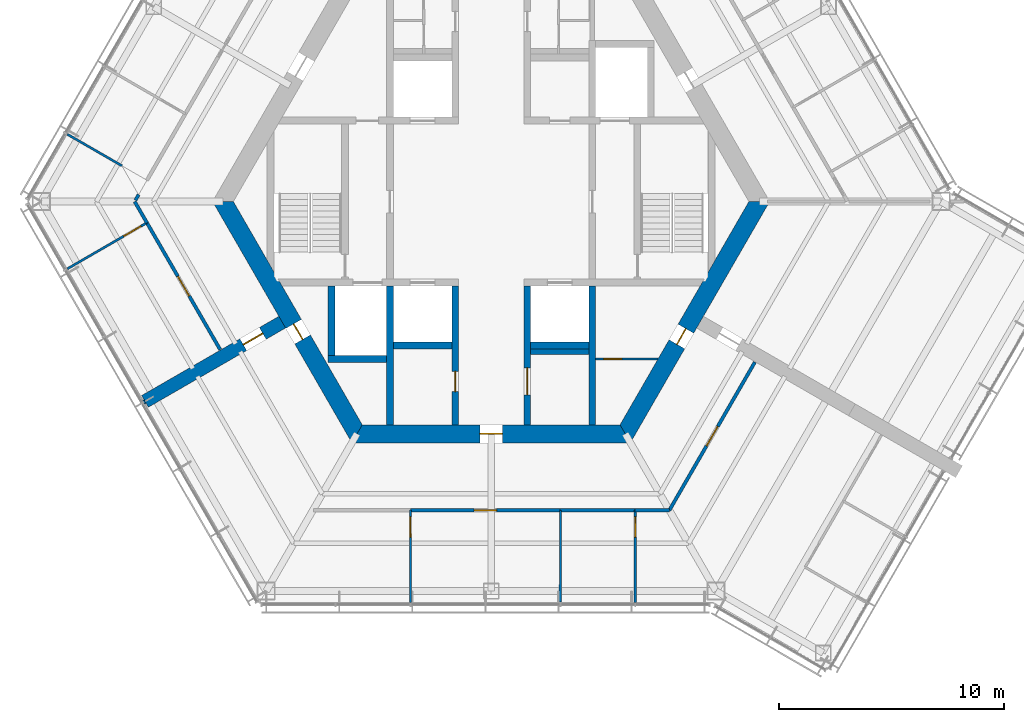
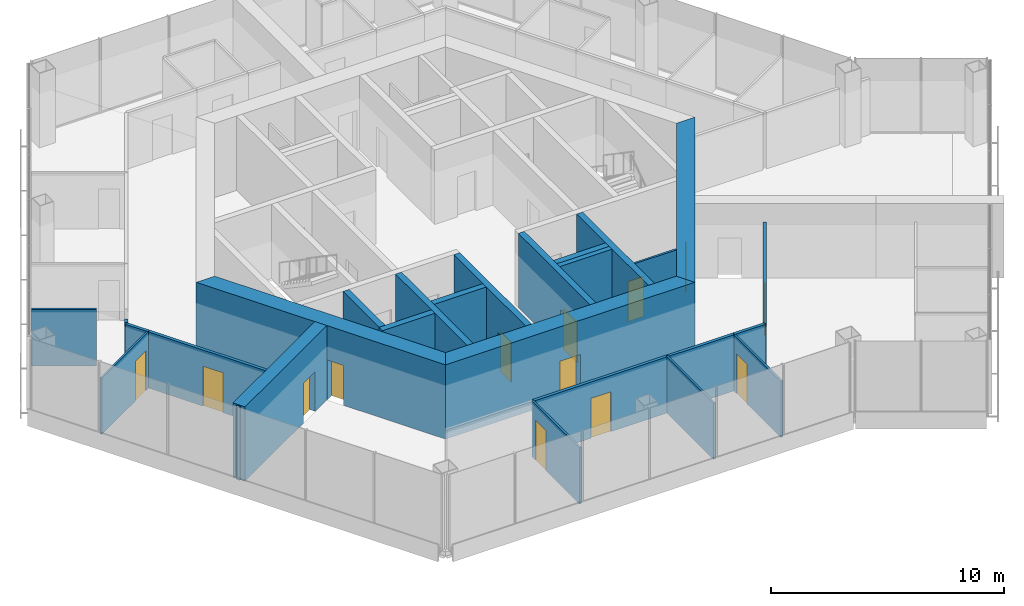
# One storey, part 7 of 13: 27 walls, 13 doors, 13 openings.
"""IFC4 building model written with IfcOpenShell, lengths in metres."""

from ifc_helpers import new_model, si_unit, direction, frame, frame_2d, origin, place, context, subcontext, project, spatial, polyline, rectangle, outline, extrude, material, layer, layer_set, type_object, element, fill, save


model = new_model("IFC4")

# Units and contexts
model_context = context("Model", 3, precision=1e-05, world=origin(), true_north=direction((0.0, 1.0)))
body_context = subcontext(model_context, "Body", "Model", "MODEL_VIEW")
ifc_project = project(units=[si_unit("LENGTHUNIT", "METRE"), si_unit("AREAUNIT", "SQUARE_METRE"), si_unit("VOLUMEUNIT", "CUBIC_METRE"), si_unit("PLANEANGLEUNIT", "RADIAN"), si_unit("MASSUNIT", "GRAM", prefix="KILO")], contexts=[model_context])

# Site, building, storey
site_placement = place(None, origin())
site = spatial("IfcSite", under=ifc_project, at=site_placement, CompositionType="ELEMENT")
building_placement = place(site_placement, origin())
building = spatial("IfcBuilding", under=site, at=building_placement, Name="Kasaneha Research Tower", CompositionType="ELEMENT")
storey_placement = place(building_placement, frame((0.0, 0.0, 279.10009765625)))
storey = spatial("IfcBuildingStorey", under=building, at=storey_placement, Name="L70", CompositionType="ELEMENT", Elevation=279.10009765625)

# Wall, opening, door
ifc_material_1 = material(Name="Concrete Fc60", Category="concrete")
ifc_layer_1 = layer(ifc_material_1, 0.300048828125)
ifc_layer_set_1 = layer_set([ifc_layer_1], Name="Core internal wall 300 Fc60")
wall_type_1 = type_object("IfcWallType", Name="Core internal wall 300 Fc60", PredefinedType="SHEAR", material=ifc_layer_set_1)
wall_1_placement = place(storey_placement, frame((-1.60009765625, -3.75, 0.0), z_axis=(0.0, 0.0, 1.0), x_axis=(0.0, -1.0, 0.0)))
wall_1 = element("IfcWall", 1, at=wall_1_placement, inside=storey, type_object=wall_type_1, Name="Core wall CSW L70", PredefinedType="SHEAR", context=body_context, shape_type="SweptSolid", body=[
    extrude(rectangle(XDim=6.175048828125, YDim=0.300048828125, at=frame_2d((3.08740234375, 0.0))), origin(), (0.0, 0.0, 1.0), 3.89990234375),
])
opening_1_placement = place(wall_1_placement, frame((3.800048828125, 0.0, 0.0)))
opening_1 = element("IfcOpeningElement", 2, at=opening_1_placement, cuts=wall_1, Name="Opening L70-D16", PredefinedType="OPENING", context=body_context, shape_type="SweptSolid", body=[
    extrude(rectangle(XDim=0.89990234375, YDim=2.10009765625, at=frame_2d((0.449951171875, 1.050048828125))), frame((0.0, 0.16015625, 0.0), z_axis=(0.0, -1.0, 0.0), x_axis=(1.0, 0.0, 0.0)), (0.0, 0.0, 1.0), 0.320068359375),
])
ifc_material_2 = material(Name="Steel", Category="steel")
door_type_1 = type_object("IfcDoorType", Name="Riser access door FD60 900x2100", OperationType="NOTDEFINED", PredefinedType="DOOR", material=ifc_material_2)
door_1_placement = place(opening_1_placement, origin())
door_1 = element("IfcDoor", 3, at=door_1_placement, inside=storey, type_object=door_type_1, Name="Electrical riser door L70-D16", OperationType="SINGLE_SWING_LEFT", OverallHeight=2.10009765625, OverallWidth=0.89990234375, PredefinedType="DOOR", context=body_context, shape_type="SweptSolid", body=[
    extrude(rectangle(XDim=0.89990234375, YDim=2.10009765625, at=frame_2d((0.449951171875, 1.050048828125))), frame((0.0, 0.02490234375, 0.0), z_axis=(0.0, -1.0, 0.0), x_axis=(1.0, 0.0, 0.0)), (0.0, 0.0, 1.0), 0.050048828125),
])
fill(opening_1, door_1)

wall_2_placement = place(storey_placement, frame((1.60009765625, -3.75, 0.0), z_axis=(0.0, 0.0, 1.0), x_axis=(0.0, -1.0, 0.0)))
wall_2 = element("IfcWall", 4, at=wall_2_placement, inside=storey, type_object=wall_type_1, Name="Core wall CSE L70", PredefinedType="SHEAR", context=body_context, shape_type="SweptSolid", body=[
    extrude(rectangle(XDim=6.175048828125, YDim=0.300048828125, at=frame_2d((3.08740234375, 0.0))), origin(), (0.0, 0.0, 1.0), 3.89990234375),
])
opening_2_placement = place(wall_2_placement, frame((3.64990234375, 0.0, 0.0)))
opening_2 = element("IfcOpeningElement", 5, at=opening_2_placement, cuts=wall_2, Name="Opening L70-D15", PredefinedType="OPENING", context=body_context, shape_type="SweptSolid", body=[
    extrude(rectangle(XDim=1.199951171875, YDim=2.10009765625, at=frame_2d((0.60009765625, 1.050048828125))), frame((0.0, 0.16015625, 0.0), z_axis=(0.0, -1.0, 0.0), x_axis=(1.0, 0.0, 0.0)), (0.0, 0.0, 1.0), 0.320068359375),
])
ifc_material_3 = material(Name="Steel", Category="steel")
door_type_2 = type_object("IfcDoorType", Name="Accessible toilet sliding door FD20 1200x2100", OperationType="SLIDING_TO_LEFT", PredefinedType="DOOR", material=ifc_material_3)
door_2_placement = place(opening_2_placement, origin())
door_2 = element("IfcDoor", 6, at=door_2_placement, inside=storey, type_object=door_type_2, Name="Accessible WC door L70-D15", OperationType="SLIDING_TO_LEFT", OverallHeight=2.10009765625, OverallWidth=1.199951171875, PredefinedType="DOOR", context=body_context, shape_type="SweptSolid", body=[
    extrude(rectangle(XDim=1.199951171875, YDim=2.10009765625, at=frame_2d((0.60009765625, 1.050048828125))), frame((0.0, 0.02490234375, 0.0), z_axis=(0.0, -1.0, 0.0), x_axis=(1.0, 0.0, 0.0)), (0.0, 0.0, 1.0), 0.050048828125),
])
fill(opening_2, door_2)

# Walls
for number, where, z_axis, x_axis, name in (
    (7, (-4.5, -3.75, 0.0), (0.0, 0.0, 1.0), (0.0, -1.0, 0.0), "Core wall SSW L70"),
    (8, (4.5, -3.75, 0.0), (0.0, 0.0, 1.0), (0.0, -1.0, 0.0), "Core wall SSE L70"),
):
    element("IfcWall", number, at=place(storey_placement, frame(where, z_axis=z_axis, x_axis=x_axis)), inside=storey, type_object=wall_type_1, Name=name, PredefinedType="SHEAR", context=body_context, shape_type="SweptSolid", body=[
        extrude(rectangle(XDim=6.175048828125, YDim=0.300048828125, at=frame_2d((3.08740234375, 0.0))), origin(), (0.0, 0.0, 1.0), 3.89990234375),
    ])
for number, where, z_axis, x_axis, name in (
    (9, (-4.35009765625, -6.39990234375, 0.0), (0.0, 0.0, 1.0), (1.0, 0.0, 0.0), "Core wall S1S L70"),
    (10, (1.75, -6.39990234375, 0.0), (0.0, 0.0, 1.0), (1.0, 0.0, 0.0), "Core wall S3S L70"),
    (11, (-7.25, -7.0, 0.0), (0.0, 0.0, 1.0), (1.0, 0.0, 0.0), "Core wall F2S L70"),
):
    element("IfcWall", number, at=place(storey_placement, frame(where, z_axis=z_axis, x_axis=x_axis)), inside=storey, type_object=wall_type_1, Name=name, PredefinedType="SHEAR", context=body_context, shape_type="SweptSolid", body=[
        extrude(rectangle(XDim=2.60009765625, YDim=0.300048828125, at=frame_2d((1.300048828125, 0.0))), origin(), (0.0, 0.0, 1.0), 3.89990234375),
    ])
wall_3_placement = place(storey_placement, frame((-7.10009765625, -3.75, 0.0), z_axis=(0.0, 0.0, 1.0), x_axis=(0.0, -1.0, 0.0)))
element("IfcWall", 12, at=wall_3_placement, inside=storey, type_object=wall_type_1, Name="Core wall F2W L70", PredefinedType="SHEAR", context=body_context, shape_type="SweptSolid", body=[
    extrude(rectangle(XDim=3.10009765625, YDim=0.300048828125, at=frame_2d((1.550048828125, 0.0))), origin(), (0.0, 0.0, 1.0), 3.89990234375),
])

# Wall, opening, door
ifc_material_4 = material(Name="Concrete Fc60", Category="concrete")
ifc_layer_2 = layer(ifc_material_4, 0.800048828125)
ifc_layer_set_2 = layer_set([ifc_layer_2], Name="Core wall 800 Fc60")
wall_type_2 = type_object("IfcWallType", Name="Core wall 800 Fc60", PredefinedType="SHEAR", material=ifc_layer_set_2)
wall_4_placement = place(storey_placement, frame((-11.92236328125, 0.0, 0.0), z_axis=(0.0, 0.0, 1.0), x_axis=(0.500004296715, -0.866022923061, 0.0)))
wall_4 = element("IfcWall", 13, at=wall_4_placement, inside=storey, type_object=wall_type_2, Name="Core wall 210 L70", PredefinedType="SHEAR", context=body_context, shape_type="SweptSolid", body=[
    extrude(outline(polyline([(-0.23095703125, -0.39990234375), (6.28125, -0.39990234375), (7.081298828125, -0.39990234375), (12.1533203125, -0.39990234375), (11.69140625, 0.39990234375), (7.081298828125, 0.39990234375), (6.28125, 0.39990234375), (0.23095703125, 0.39990234375), (-0.23095703125, -0.39990234375)])), origin(), (0.0, 0.0, 1.0), 3.89990234375),
])
opening_3_placement = place(wall_4_placement, frame((6.28125, 0.0, 0.0)))
opening_3 = element("IfcOpeningElement", 14, at=opening_3_placement, cuts=wall_4, Name="Opening L70-D06", PredefinedType="OPENING", context=body_context, shape_type="SweptSolid", body=[
    extrude(rectangle(XDim=0.800048828125, YDim=2.10009765625, at=frame_2d((0.39990234375, 1.050048828125))), frame((0.0, 0.41015625, 0.0), z_axis=(0.0, -1.0, 0.0), x_axis=(1.0, 0.0, 0.0)), (0.0, 0.0, 1.0), 0.820068359375),
])
ifc_material_5 = material(Name="Steel", Category="steel")
door_type_3 = type_object("IfcDoorType", Name="Riser access door FD60 800x2100", OperationType="NOTDEFINED", PredefinedType="DOOR", material=ifc_material_5)
door_3_placement = place(opening_3_placement, origin())
door_3 = element("IfcDoor", 15, at=door_3_placement, inside=storey, type_object=door_type_3, Name="Duct riser door L70-D06", OperationType="SINGLE_SWING_RIGHT", OverallHeight=2.10009765625, OverallWidth=0.800048828125, PredefinedType="DOOR", context=body_context, shape_type="SweptSolid", body=[
    extrude(rectangle(XDim=0.800048828125, YDim=2.10009765625, at=frame_2d((0.39990234375, 1.050048828125))), frame((0.0, 0.02490234375, 0.0), z_axis=(0.0, -1.0, 0.0), x_axis=(1.0, 0.0, 0.0)), (0.0, 0.0, 1.0), 0.050048828125),
])
fill(opening_3, door_3)

wall_5_placement = place(storey_placement, frame((-5.961181640625, -10.324951171875, 0.0), z_axis=(0.0, 0.0, 1.0), x_axis=(1.0, 0.0, 0.0)))
wall_5 = element("IfcWall", 16, at=wall_5_placement, inside=storey, type_object=wall_type_2, Name="Core wall 270 L70", PredefinedType="SHEAR", context=body_context, shape_type="SweptSolid", body=[
    extrude(outline(polyline([(-0.23095703125, -0.39990234375), (5.461181640625, -0.39990234375), (6.461181640625, -0.39990234375), (12.1533203125, -0.39990234375), (11.69140625, 0.39990234375), (6.461181640625, 0.39990234375), (5.461181640625, 0.39990234375), (0.23095703125, 0.39990234375), (-0.23095703125, -0.39990234375)])), origin(), (0.0, 0.0, 1.0), 3.89990234375),
])
opening_4_placement = place(wall_5_placement, frame((5.461181640625, 0.0, 0.0)))
opening_4 = element("IfcOpeningElement", 17, at=opening_4_placement, cuts=wall_5, Name="Opening L70-D03", PredefinedType="OPENING", context=body_context, shape_type="SweptSolid", body=[
    extrude(rectangle(XDim=1.0, YDim=2.10009765625, at=frame_2d((0.5, 1.050048828125))), frame((0.0, 0.41015625, 0.0), z_axis=(0.0, -1.0, 0.0), x_axis=(1.0, 0.0, 0.0)), (0.0, 0.0, 1.0), 0.820068359375),
])
ifc_material_6 = material(Name="Steel", Category="steel")
door_type_4 = type_object("IfcDoorType", Name="Fire door FD20 1000x2100", OperationType="NOTDEFINED", PredefinedType="DOOR", material=ifc_material_6)
door_4_placement = place(opening_4_placement, origin())
door_4 = element("IfcDoor", 18, at=door_4_placement, inside=storey, type_object=door_type_4, Name="Core door south L70-D03", OperationType="SINGLE_SWING_LEFT", OverallHeight=2.10009765625, OverallWidth=1.0, PredefinedType="DOOR", context=body_context, shape_type="SweptSolid", body=[
    extrude(rectangle(XDim=1.0, YDim=2.10009765625, at=frame_2d((0.5, 1.050048828125))), frame((0.0, 0.02490234375, 0.0), z_axis=(0.0, -1.0, 0.0), x_axis=(1.0, 0.0, 0.0)), (0.0, 0.0, 1.0), 0.050048828125),
])
fill(opening_4, door_4)

wall_6_placement = place(storey_placement, frame((5.961181640625, -10.324951171875, 0.0), z_axis=(0.0, 0.0, 1.0), x_axis=(0.500004296715, 0.866022923061, 0.0)))
wall_6 = element("IfcWall", 19, at=wall_6_placement, inside=storey, type_object=wall_type_2, Name="Core wall 330 L70", PredefinedType="SHEAR", context=body_context, shape_type="SweptSolid", body=[
    extrude(outline(polyline([(-0.23095703125, -0.39990234375), (4.593994140625, -0.39990234375), (5.39404296875, -0.39990234375), (12.1533203125, -0.39990234375), (11.69140625, 0.39990234375), (5.39404296875, 0.39990234375), (4.593994140625, 0.39990234375), (0.23095703125, 0.39990234375), (-0.23095703125, -0.39990234375)])), origin(), (0.0, 0.0, 1.0), 3.89990234375),
])
opening_5_placement = place(wall_6_placement, frame((4.593994140625, 0.0, 0.0)))
opening_5 = element("IfcOpeningElement", 20, at=opening_5_placement, cuts=wall_6, Name="Opening L70-D05", PredefinedType="OPENING", context=body_context, shape_type="SweptSolid", body=[
    extrude(rectangle(XDim=0.800048828125, YDim=2.10009765625, at=frame_2d((0.39990234375, 1.050048828125))), frame((0.0, 0.41015625, 0.0), z_axis=(0.0, -1.0, 0.0), x_axis=(1.0, 0.0, 0.0)), (0.0, 0.0, 1.0), 0.820068359375),
])
door_5_placement = place(opening_5_placement, origin())
door_5 = element("IfcDoor", 21, at=door_5_placement, inside=storey, type_object=door_type_3, Name="Pipe riser door L70-D05", OperationType="SINGLE_SWING_LEFT", OverallHeight=2.10009765625, OverallWidth=0.800048828125, PredefinedType="DOOR", context=body_context, shape_type="SweptSolid", body=[
    extrude(rectangle(XDim=0.800048828125, YDim=2.10009765625, at=frame_2d((0.39990234375, 1.050048828125))), frame((0.0, 0.02490234375, 0.0), z_axis=(0.0, -1.0, 0.0), x_axis=(1.0, 0.0, 0.0)), (0.0, 0.0, 1.0), 0.050048828125),
])
fill(opening_5, door_5)

ifc_material_7 = material(Name="Gypsum board on steel studs, one layer each side", Category="steel")
ifc_layer_3 = layer(ifc_material_7, 0.10009765625)
ifc_layer_set_3 = layer_set([ifc_layer_3], Name="Office partition 100")
wall_type_3 = type_object("IfcWallType", Name="Office partition 100", PredefinedType="PARTITIONING", material=ifc_layer_set_3)
wall_7_placement = place(storey_placement, frame((4.64990234375, -7.0, 0.0), z_axis=(0.0, 0.0, 1.0), x_axis=(1.0, 0.0, 0.0)))
wall_7 = element("IfcWall", 22, at=wall_7_placement, inside=storey, type_object=wall_type_3, Name="Office partition RS-SE L70", PredefinedType="PARTITIONING", context=body_context, shape_type="SweptSolid", body=[
    extrude(outline(polyline([(0.0, -0.050048828125), (0.35009765625, -0.050048828125), (1.150146484375, -0.050048828125), (2.740234375, -0.050048828125), (2.76904296875, 0.0), (2.77490234375, 0.050048828125), (1.150146484375, 0.050048828125), (0.35009765625, 0.050048828125), (0.0, 0.050048828125), (0.0, -0.050048828125)])), origin(), (0.0, 0.0, 1.0), 2.949951171875),
])
opening_6_placement = place(wall_7_placement, frame((0.35009765625, 0.0, 0.0)))
opening_6 = element("IfcOpeningElement", 23, at=opening_6_placement, cuts=wall_7, Name="Opening L70-D25", PredefinedType="OPENING", context=body_context, shape_type="SweptSolid", body=[
    extrude(rectangle(XDim=0.800048828125, YDim=2.10009765625, at=frame_2d((0.39990234375, 1.050048828125))), frame((0.0, 0.06005859375, 0.0), z_axis=(0.0, -1.0, 0.0), x_axis=(1.0, 0.0, 0.0)), (0.0, 0.0, 1.0), 0.1201171875),
])
door_6_placement = place(opening_6_placement, origin())
door_6 = element("IfcDoor", 24, at=door_6_placement, inside=storey, type_object=door_type_3, Name="Drainage riser door L70-D25", OperationType="SINGLE_SWING_LEFT", OverallHeight=2.10009765625, OverallWidth=0.800048828125, PredefinedType="DOOR", context=body_context, shape_type="SweptSolid", body=[
    extrude(rectangle(XDim=0.800048828125, YDim=2.10009765625, at=frame_2d((0.39990234375, 1.050048828125))), frame((0.0, 0.02490234375, 0.0), z_axis=(0.0, -1.0, 0.0), x_axis=(1.0, 0.0, 0.0)), (0.0, 0.0, 1.0), 0.050048828125),
])
fill(opening_6, door_6)

# Wall
wall_8_placement = place(storey_placement, frame((-16.4130859375, 1.58837890625, 0.0), z_axis=(0.0, 0.0, 1.0), x_axis=(-0.866020185298, 0.500009038574, 0.0)))
element("IfcWall", 25, at=wall_8_placement, inside=storey, type_object=wall_type_3, Name="Office partition FBN07 L70", PredefinedType="PARTITIONING", context=body_context, shape_type="SweptSolid", body=[
    extrude(rectangle(XDim=2.80224609375, YDim=0.10009765625, at=frame_2d((1.401123046875, 0.0))), origin(), (0.0, 0.0, 1.0), 2.949951171875),
])

# Wall, opening, door
wall_9_placement = place(storey_placement, frame((-15.303955078125, -0.94287109375, 0.0), z_axis=(0.0, 0.0, 1.0), x_axis=(-0.865475377125, -0.500951466301, 0.0)))
wall_9 = element("IfcWall", 26, at=wall_9_placement, inside=storey, type_object=wall_type_3, Name="Office partition FBN10 L70", PredefinedType="PARTITIONING", context=body_context, shape_type="SweptSolid", body=[
    extrude(rectangle(XDim=4.08544921875, YDim=0.10009765625, at=frame_2d((2.042724609375, 0.0))), origin(), (0.0, 0.0, 1.0), 2.949951171875),
])
opening_7_placement = place(wall_9_placement, frame((0.300048828125, 0.0, 0.0)))
opening_7 = element("IfcOpeningElement", 27, at=opening_7_placement, cuts=wall_9, Name="Opening L70-D38", PredefinedType="OPENING", context=body_context, shape_type="SweptSolid", body=[
    extrude(rectangle(XDim=0.89990234375, YDim=2.10009765625, at=frame_2d((0.449951171875, 1.050048828125))), frame((0.0, 0.06005859375, 0.0), z_axis=(0.0, -1.0, 0.0), x_axis=(1.0, 0.0, 0.0)), (0.0, 0.0, 1.0), 0.1201171875),
])
ifc_material_8 = material(Name="Timber veneer", Category="wood")
door_type_5 = type_object("IfcDoorType", Name="Office door 900x2100", OperationType="SINGLE_SWING_LEFT", PredefinedType="DOOR", material=ifc_material_8)
door_7_placement = place(opening_7_placement, origin())
door_7 = element("IfcDoor", 28, at=door_7_placement, inside=storey, type_object=door_type_5, Name="Workroom door L70-D38", OperationType="SINGLE_SWING_LEFT", OverallHeight=2.10009765625, OverallWidth=0.89990234375, PredefinedType="DOOR", context=body_context, shape_type="SweptSolid", body=[
    extrude(rectangle(XDim=0.89990234375, YDim=2.10009765625, at=frame_2d((0.449951171875, 1.050048828125))), frame((0.0, 0.02490234375, 0.0), z_axis=(0.0, -1.0, 0.0), x_axis=(1.0, 0.0, 0.0)), (0.0, 0.0, 1.0), 0.050048828125),
])
fill(opening_7, door_7)

wall_10_placement = place(storey_placement, frame((-3.589111328125, -13.72509765625, 0.0), z_axis=(0.0, 0.0, 1.0), x_axis=(0.001128533375, -0.999999363206, 0.0)))
wall_10 = element("IfcWall", 29, at=wall_10_placement, inside=storey, type_object=wall_type_3, Name="Office partition FCS06 L70", PredefinedType="PARTITIONING", context=body_context, shape_type="SweptSolid", body=[
    extrude(rectangle(XDim=4.1103515625, YDim=0.10009765625, at=frame_2d((2.05517578125, 0.0))), origin(), (0.0, 0.0, 1.0), 2.949951171875),
])
opening_8_placement = place(wall_10_placement, frame((0.300048828125, 0.0, 0.0)))
opening_8 = element("IfcOpeningElement", 30, at=opening_8_placement, cuts=wall_10, Name="Opening L70-D41", PredefinedType="OPENING", context=body_context, shape_type="SweptSolid", body=[
    extrude(rectangle(XDim=0.89990234375, YDim=2.10009765625, at=frame_2d((0.449951171875, 1.050048828125))), frame((0.0, 0.06005859375, 0.0), z_axis=(0.0, -1.0, 0.0), x_axis=(1.0, 0.0, 0.0)), (0.0, 0.0, 1.0), 0.1201171875),
])
door_8_placement = place(opening_8_placement, origin())
door_8 = element("IfcDoor", 31, at=door_8_placement, inside=storey, type_object=door_type_5, Name="Reading room door L70-D41", OperationType="SINGLE_SWING_LEFT", OverallHeight=2.10009765625, OverallWidth=0.89990234375, PredefinedType="DOOR", context=body_context, shape_type="SweptSolid", body=[
    extrude(rectangle(XDim=0.89990234375, YDim=2.10009765625, at=frame_2d((0.449951171875, 1.050048828125))), frame((0.0, 0.02490234375, 0.0), z_axis=(0.0, -1.0, 0.0), x_axis=(1.0, 0.0, 0.0)), (0.0, 0.0, 1.0), 0.050048828125),
])
fill(opening_8, door_8)

wall_11_placement = place(storey_placement, frame((6.40380859375, -13.72509765625, 0.0), z_axis=(0.0, 0.0, 1.0), x_axis=(0.001128533375, -0.999999363206, 0.0)))
wall_11 = element("IfcWall", 32, at=wall_11_placement, inside=storey, type_object=wall_type_3, Name="Office partition FCS07 L70", PredefinedType="PARTITIONING", context=body_context, shape_type="SweptSolid", body=[
    extrude(rectangle(XDim=4.1103515625, YDim=0.10009765625, at=frame_2d((2.05517578125, 0.0))), origin(), (0.0, 0.0, 1.0), 2.949951171875),
])
opening_9_placement = place(wall_11_placement, frame((0.300048828125, 0.0, 0.0)))
opening_9 = element("IfcOpeningElement", 33, at=opening_9_placement, cuts=wall_11, Name="Opening L70-D42", PredefinedType="OPENING", context=body_context, shape_type="SweptSolid", body=[
    extrude(rectangle(XDim=0.89990234375, YDim=2.10009765625, at=frame_2d((0.449951171875, 1.050048828125))), frame((0.0, 0.06005859375, 0.0), z_axis=(0.0, -1.0, 0.0), x_axis=(1.0, 0.0, 0.0)), (0.0, 0.0, 1.0), 0.1201171875),
])
door_9_placement = place(opening_9_placement, origin())
door_9 = element("IfcDoor", 34, at=door_9_placement, inside=storey, type_object=door_type_5, Name="Workroom door L70-D42", OperationType="SINGLE_SWING_LEFT", OverallHeight=2.10009765625, OverallWidth=0.89990234375, PredefinedType="DOOR", context=body_context, shape_type="SweptSolid", body=[
    extrude(rectangle(XDim=0.89990234375, YDim=2.10009765625, at=frame_2d((0.449951171875, 1.050048828125))), frame((0.0, 0.02490234375, 0.0), z_axis=(0.0, -1.0, 0.0), x_axis=(1.0, 0.0, 0.0)), (0.0, 0.0, 1.0), 0.050048828125),
])
fill(opening_9, door_9)

# Wall
wall_12_placement = place(storey_placement, frame((3.077392578125, -17.800537109375, 0.0), z_axis=(0.0, 0.0, 1.0), x_axis=(0.001078295665, 0.999999418639, 0.0)))
element("IfcWall", 35, at=wall_12_placement, inside=storey, type_object=wall_type_3, Name="Office partition FCS08 L70", PredefinedType="PARTITIONING", context=body_context, shape_type="SweptSolid", body=[
    extrude(rectangle(XDim=4.075439453125, YDim=0.10009765625, at=frame_2d((2.03759765625, 0.0))), origin(), (0.0, 0.0, 1.0), 2.949951171875),
])

# Wall, opening, door
ifc_material_9 = material(Name="Concrete Fc60", Category="concrete")
ifc_layer_4 = layer(ifc_material_9, 0.60009765625)
ifc_layer_set_4 = layer_set([ifc_layer_4], Name="Spine wall 600 Fc60")
wall_type_4 = type_object("IfcWallType", Name="Spine wall 600 Fc60", PredefinedType="SHEAR", material=ifc_layer_set_4)
wall_13_placement = place(storey_placement, frame((-9.2880859375, -5.362548828125, 0.0), z_axis=(0.0, 0.0, 1.0), x_axis=(-0.866027473358, -0.499996415376, 0.0)))
wall_13 = element("IfcWall", 36, at=wall_13_placement, inside=storey, type_object=wall_type_4, Name="Spine wall B L70", PredefinedType="SHEAR", context=body_context, shape_type="SweptSolid", body=[
    extrude(rectangle(XDim=7.04541015625, YDim=0.60009765625, at=frame_2d((3.522705078125, 0.0))), origin(), (0.0, 0.0, 1.0), 3.89990234375),
])
opening_10_placement = place(wall_13_placement, frame((1.0, 0.0, 0.0)))
opening_10 = element("IfcOpeningElement", 37, at=opening_10_placement, cuts=wall_13, Name="Opening L70-D19", PredefinedType="OPENING", context=body_context, shape_type="SweptSolid", body=[
    extrude(rectangle(XDim=1.0, YDim=2.10009765625, at=frame_2d((0.5, 1.050048828125))), frame((0.0, 0.31005859375, 0.0), z_axis=(0.0, -1.0, 0.0), x_axis=(1.0, 0.0, 0.0)), (0.0, 0.0, 1.0), 0.6201171875),
])
ifc_material_10 = material(Name="Steel", Category="steel")
door_type_6 = type_object("IfcDoorType", Name="Specified fire door FD60 1000x2100", OperationType="NOTDEFINED", PredefinedType="DOOR", material=ifc_material_10)
door_10_placement = place(opening_10_placement, origin())
door_10 = element("IfcDoor", 38, at=door_10_placement, inside=storey, type_object=door_type_6, Name="Spine doorway B L70-D19", OperationType="SINGLE_SWING_LEFT", OverallHeight=2.10009765625, OverallWidth=1.0, PredefinedType="DOOR", context=body_context, shape_type="SweptSolid", body=[
    extrude(rectangle(XDim=1.0, YDim=2.10009765625, at=frame_2d((0.5, 1.050048828125))), frame((0.0, 0.02490234375, 0.0), z_axis=(0.0, -1.0, 0.0), x_axis=(1.0, 0.0, 0.0)), (0.0, 0.0, 1.0), 0.050048828125),
])
fill(opening_10, door_10)

# Walls
ifc_material_11 = material(Name="Gypsum board on steel studs, two layers each side", Category="steel")
ifc_layer_5 = layer(ifc_material_11, 0.14990234375)
ifc_layer_set_5 = layer_set([ifc_layer_5], Name="Suite partition 150")
wall_type_5 = type_object("IfcWallType", Name="Suite partition 150", PredefinedType="PARTITIONING", material=ifc_layer_set_5)
wall_14_placement = place(storey_placement, frame((-15.81591796875, 0.056396484375, 0.0), z_axis=(0.0, 0.0, 1.0), x_axis=(0.500801637523, 0.865562083189, 0.0)))
element("IfcWall", 39, at=wall_14_placement, inside=storey, type_object=wall_type_5, Name="Suite partition FBN03 L70", PredefinedType="PARTITIONING", context=body_context, shape_type="SweptSolid", body=[
    extrude(rectangle(XDim=0.287109375, YDim=0.14990234375, at=frame_2d((0.1435546875, 0.0))), origin(), (0.0, 0.0, 1.0), 2.949951171875),
])
wall_15_placement = place(storey_placement, frame((-15.29931640625, -0.951171875, 0.0), z_axis=(0.0, 0.0, 1.0), x_axis=(-0.499940538003, 0.866059731463, 0.0)))
element("IfcWall", 40, at=wall_15_placement, inside=storey, type_object=wall_type_5, Name="Suite partition FBN04 L70", PredefinedType="PARTITIONING", context=body_context, shape_type="SweptSolid", body=[
    extrude(rectangle(XDim=1.098388671875, YDim=0.14990234375, at=frame_2d((0.54931640625, 0.0))), origin(), (0.0, 0.0, 1.0), 2.949951171875),
])

# Wall, opening, door
wall_16_placement = place(storey_placement, frame((-12.046142578125, -6.58544921875, 0.0), z_axis=(0.0, 0.0, 1.0), x_axis=(-0.500007885066, 0.866020851292, 0.0)))
wall_16 = element("IfcWall", 41, at=wall_16_placement, inside=storey, type_object=wall_type_5, Name="Suite partition FBN06 L70", PredefinedType="PARTITIONING", context=body_context, shape_type="SweptSolid", body=[
    extrude(rectangle(XDim=6.515625, YDim=0.14990234375, at=frame_2d((3.2578125, 0.0))), origin(), (0.0, 0.0, 1.0), 2.949951171875),
])
opening_11_placement = place(wall_16_placement, frame((2.7578125, 0.0, 0.0)))
opening_11 = element("IfcOpeningElement", 42, at=opening_11_placement, cuts=wall_16, Name="Opening L70-D35", PredefinedType="OPENING", context=body_context, shape_type="SweptSolid", body=[
    extrude(rectangle(XDim=1.0, YDim=2.10009765625, at=frame_2d((0.5, 1.050048828125))), frame((0.0, 0.0849609375, 0.0), z_axis=(0.0, -1.0, 0.0), x_axis=(1.0, 0.0, 0.0)), (0.0, 0.0, 1.0), 0.169921875),
])
ifc_material_12 = material(Name="Steel", Category="steel")
door_type_7 = type_object("IfcDoorType", Name="Suite entrance door FD60 1000x2100", OperationType="NOTDEFINED", PredefinedType="DOOR", material=ifc_material_12)
door_11_placement = place(opening_11_placement, origin())
door_11 = element("IfcDoor", 43, at=door_11_placement, inside=storey, type_object=door_type_7, Name="Suite entrance door L70-D35", OperationType="SINGLE_SWING_RIGHT", OverallHeight=2.10009765625, OverallWidth=1.0, PredefinedType="DOOR", context=body_context, shape_type="SweptSolid", body=[
    extrude(rectangle(XDim=1.0, YDim=2.10009765625, at=frame_2d((0.5, 1.050048828125))), frame((0.0, 0.02490234375, 0.0), z_axis=(0.0, -1.0, 0.0), x_axis=(1.0, 0.0, 0.0)), (0.0, 0.0, 1.0), 0.050048828125),
])
fill(opening_11, door_11)

# Walls
wall_17_placement = place(storey_placement, frame((6.413330078125, -13.72509765625, 0.0), z_axis=(0.0, 0.0, 1.0), x_axis=(-1.0, 0.0, 0.0)))
element("IfcWall", 44, at=wall_17_placement, inside=storey, type_object=wall_type_5, Name="Suite partition FCS02 L70", PredefinedType="PARTITIONING", context=body_context, shape_type="SweptSolid", body=[
    extrude(rectangle(XDim=3.3408203125, YDim=0.14990234375, at=frame_2d((1.67041015625, 0.0))), origin(), (0.0, 0.0, 1.0), 2.949951171875),
])
wall_18_placement = place(storey_placement, frame((7.924072265625, -13.72509765625, 0.0), z_axis=(0.0, 0.0, 1.0), x_axis=(-1.0, 0.0, 0.0)))
element("IfcWall", 45, at=wall_18_placement, inside=storey, type_object=wall_type_5, Name="Suite partition FCS03 L70", PredefinedType="PARTITIONING", context=body_context, shape_type="SweptSolid", body=[
    extrude(rectangle(XDim=1.520263671875, YDim=0.14990234375, at=frame_2d((0.76025390625, 0.0))), origin(), (0.0, 0.0, 1.0), 2.949951171875),
])

# Wall, opening, door
wall_19_placement = place(storey_placement, frame((11.726318359375, -7.1396484375, 0.0), z_axis=(0.0, 0.0, 1.0), x_axis=(-0.500013335957, -0.866017704129, 0.0)))
wall_19 = element("IfcWall", 46, at=wall_19_placement, inside=storey, type_object=wall_type_5, Name="Suite partition FCS04 L70", PredefinedType="PARTITIONING", context=body_context, shape_type="SweptSolid", body=[
    extrude(rectangle(XDim=7.604248046875, YDim=0.14990234375, at=frame_2d((3.80224609375, 0.0))), origin(), (0.0, 0.0, 1.0), 2.949951171875),
])
opening_12_placement = place(wall_19_placement, frame((3.302001953125, 0.0, 0.0)))
opening_12 = element("IfcOpeningElement", 47, at=opening_12_placement, cuts=wall_19, Name="Opening L70-D39", PredefinedType="OPENING", context=body_context, shape_type="SweptSolid", body=[
    extrude(rectangle(XDim=1.0, YDim=2.10009765625, at=frame_2d((0.5, 1.050048828125))), frame((0.0, 0.0849609375, 0.0), z_axis=(0.0, -1.0, 0.0), x_axis=(1.0, 0.0, 0.0)), (0.0, 0.0, 1.0), 0.169921875),
])
door_12_placement = place(opening_12_placement, origin())
door_12 = element("IfcDoor", 48, at=door_12_placement, inside=storey, type_object=door_type_7, Name="Suite entrance door L70-D39", OperationType="SINGLE_SWING_LEFT", OverallHeight=2.10009765625, OverallWidth=1.0, PredefinedType="DOOR", context=body_context, shape_type="SweptSolid", body=[
    extrude(rectangle(XDim=1.0, YDim=2.10009765625, at=frame_2d((0.5, 1.050048828125))), frame((0.0, 0.02490234375, 0.0), z_axis=(0.0, -1.0, 0.0), x_axis=(1.0, 0.0, 0.0)), (0.0, 0.0, 1.0), 0.050048828125),
])
fill(opening_12, door_12)

wall_20_placement = place(storey_placement, frame((3.081787109375, -13.72509765625, 0.0), z_axis=(0.0, 0.0, 1.0), x_axis=(-1.0, 0.0, 0.0)))
wall_20 = element("IfcWall", 49, at=wall_20_placement, inside=storey, type_object=wall_type_5, Name="Suite partition FCS05 L70", PredefinedType="PARTITIONING", context=body_context, shape_type="SweptSolid", body=[
    extrude(rectangle(XDim=6.6708984375, YDim=0.14990234375, at=frame_2d((3.33544921875, 0.0))), origin(), (0.0, 0.0, 1.0), 2.949951171875),
])
opening_13_placement = place(wall_20_placement, frame((2.83544921875, 0.0, 0.0)))
opening_13 = element("IfcOpeningElement", 50, at=opening_13_placement, cuts=wall_20, Name="Opening L70-D40", PredefinedType="OPENING", context=body_context, shape_type="SweptSolid", body=[
    extrude(rectangle(XDim=1.0, YDim=2.10009765625, at=frame_2d((0.5, 1.050048828125))), frame((0.0, 0.0849609375, 0.0), z_axis=(0.0, -1.0, 0.0), x_axis=(1.0, 0.0, 0.0)), (0.0, 0.0, 1.0), 0.169921875),
])
door_13_placement = place(opening_13_placement, origin())
door_13 = element("IfcDoor", 51, at=door_13_placement, inside=storey, type_object=door_type_7, Name="Suite entrance door L70-D40", OperationType="SINGLE_SWING_LEFT", OverallHeight=2.10009765625, OverallWidth=1.0, PredefinedType="DOOR", context=body_context, shape_type="SweptSolid", body=[
    extrude(rectangle(XDim=1.0, YDim=2.10009765625, at=frame_2d((0.5, 1.050048828125))), frame((0.0, 0.02490234375, 0.0), z_axis=(0.0, -1.0, 0.0), x_axis=(1.0, 0.0, 0.0)), (0.0, 0.0, 1.0), 0.050048828125),
])
fill(opening_13, door_13)

# Walls
ifc_material_13 = material(Name="Gypsum board on steel studs, two layers each side", Category="steel")
ifc_layer_6 = layer(ifc_material_13, 0.175048828125)
ifc_layer_set_6 = layer_set([ifc_layer_6], Name="Tenancy fire partition 175")
wall_type_6 = type_object("IfcWallType", Name="Tenancy fire partition 175", PredefinedType="PARTITIONING", material=ifc_layer_set_6)
wall_21_placement = place(storey_placement, frame((-15.3896484375, -8.88525390625, 0.0), z_axis=(0.0, 0.0, 1.0), x_axis=(-0.866622456874, -0.498964444867, 0.0)))
element("IfcWall", 52, at=wall_21_placement, inside=storey, type_object=wall_type_6, Name="Spine wall closer SW4-600 L70", PredefinedType="PARTITIONING", context=body_context, shape_type="SweptSolid", body=[
    extrude(rectangle(XDim=0.065185546875, YDim=0.175048828125, at=frame_2d((0.03271484375, 0.0))), origin(), (0.0, 0.0, 1.0), 3.89990234375),
])
ifc_material_14 = material(Name="Concrete block lining", Category="concrete")
ifc_layer_7 = layer(ifc_material_14, 0.25)
ifc_layer_set_7 = layer_set([ifc_layer_7], Name="WC plumbing wall 250")
wall_type_7 = type_object("IfcWallType", Name="WC plumbing wall 250", PredefinedType="PLUMBINGWALL", material=ifc_layer_set_7)
wall_22_placement = place(storey_placement, frame((1.75, -6.675048828125, 0.0), z_axis=(0.0, 0.0, 1.0), x_axis=(1.0, 0.0, 0.0)))
element("IfcWall", 53, at=wall_22_placement, inside=storey, type_object=wall_type_7, Name="WC plumbing wall A L70", PredefinedType="PLUMBINGWALL", context=body_context, shape_type="SweptSolid", body=[
    extrude(rectangle(XDim=2.60009765625, YDim=0.25, at=frame_2d((1.300048828125, 0.0))), origin(), (0.0, 0.0, 1.0), 3.89990234375),
])

save(model, "model.ifc")
